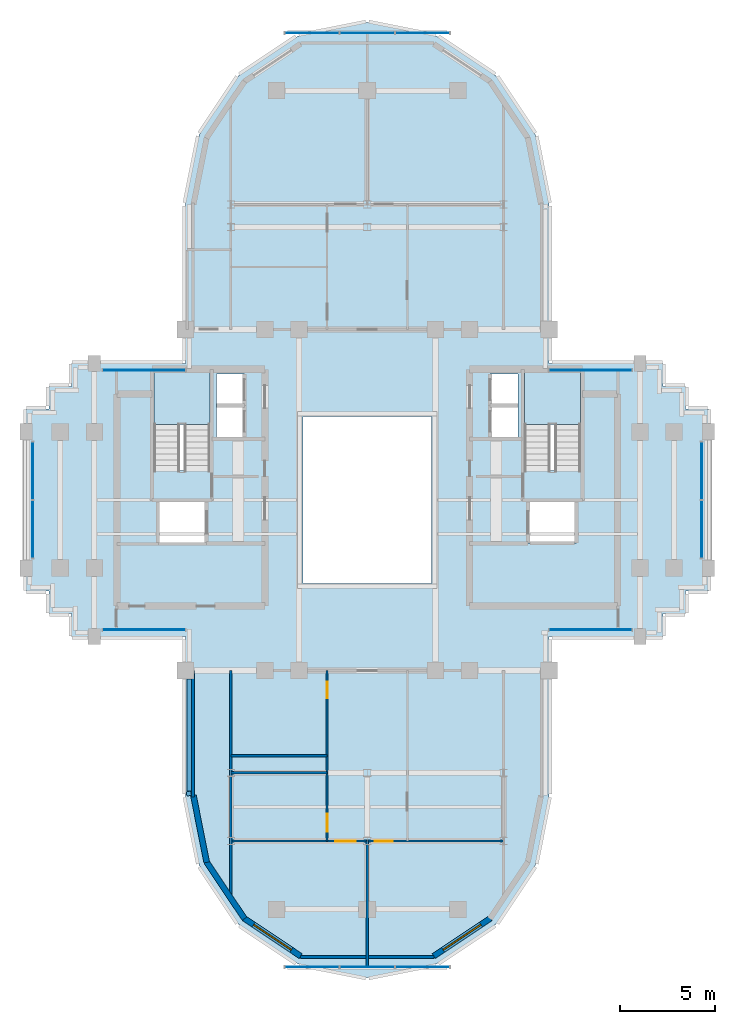
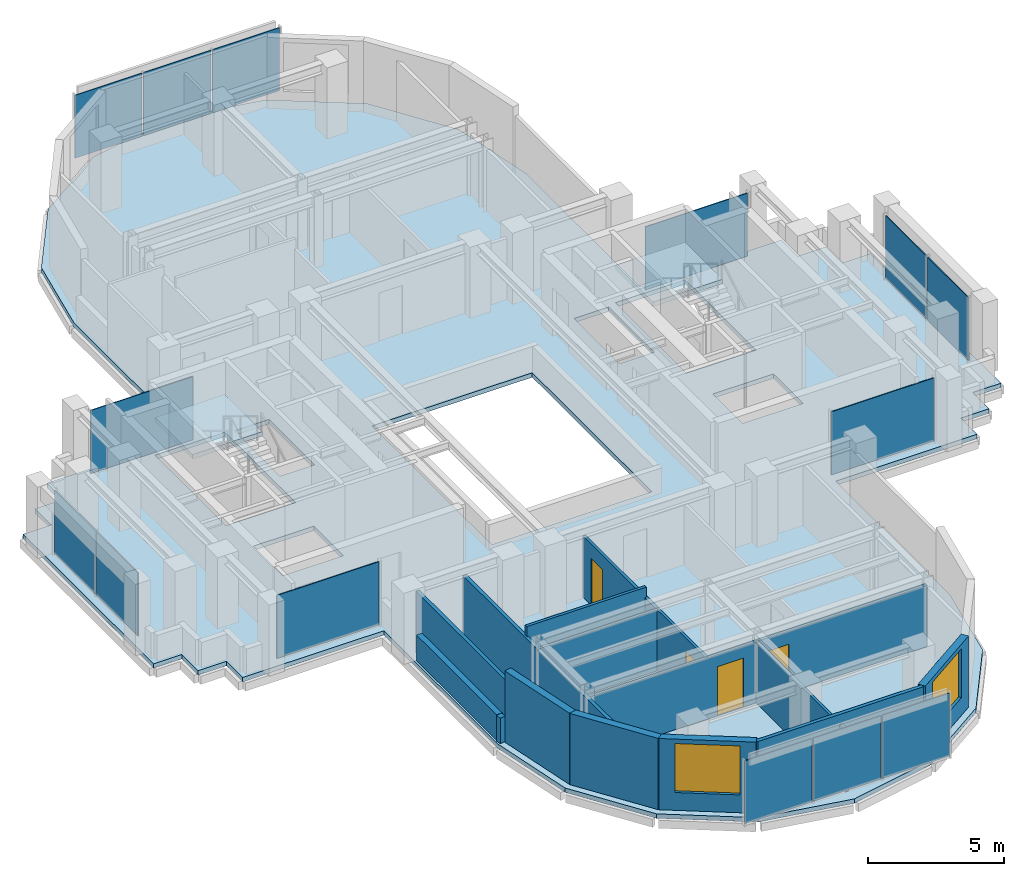
# One storey, part 5 of 11: 14 plates, 14 walls, 4 doors, 3 slabs, 2 windows, 6 openings, 10 elements without a shape of their own.
"""IFC4 building model written with IfcOpenShell, lengths in metres."""

import ifcopenshell
import ifcopenshell.guid

model = None  # the IFC model being written
_history = None  # IfcOwnerHistory: only IFC2X3 demands one
_inside = {}  # id of a spatial element -> (the spatial element, [elements in it])
_under = {}  # id of a project, library or spatial element -> (it, [spatial elements below it])
_declared = {}  # id of a project -> (the project, [libraries it declares])
_typed = {}  # id of a type object -> (the type object, [elements of that type])
_made_of = {}  # id of a material, layer set ... -> (it, [elements and type objects made of it])


def new_model(schema):
    """Start an empty IFC model of exactly this schema.

    Asked for "IFC4X3", IfcOpenShell would pick the latest addendum, in which some entities
    have other attributes; the version numbers below select the first issue.
    IFC2X3 requires an IfcOwnerHistory on every rooted entity: one is made here for all.
    """
    global model, _history
    if schema == "IFC4X3":
        model = ifcopenshell.file(schema_version=(4, 3, 0, 0))
    else:
        model = ifcopenshell.file(schema=schema)
    _inside.clear()
    _under.clear()
    _declared.clear()
    _typed.clear()
    _made_of.clear()
    _history = None
    if model.schema == "IFC2X3":
        org = make("IfcOrganization", Name="unknown")
        user = make(
            "IfcPersonAndOrganization",
            ThePerson=make("IfcPerson", FamilyName="unknown"),
            TheOrganization=org,
        )
        app = make(
            "IfcApplication",
            ApplicationDeveloper=org,
            Version="unknown",
            ApplicationFullName="unknown",
            ApplicationIdentifier="unknown",
        )
        _history = make(
            "IfcOwnerHistory",
            OwningUser=user,
            OwningApplication=app,
            ChangeAction="ADDED",
            CreationDate=0,
        )
    return model


def make(cls, **values):
    """One entity of the class cls with the attributes given. An attribute that is None is left unset."""
    return model.create_entity(
        cls, **{name: value for name, value in values.items() if value is not None}
    )


def rooted(cls, **values):
    """An entity with a GlobalId (a new one), such as an element, a storey or a relation."""
    return make(cls, GlobalId=ifcopenshell.guid.new(), OwnerHistory=_history, **values)


def si_unit(unit_type, name, prefix=None):
    """IfcSIUnit, for example si_unit("LENGTHUNIT", "METRE", prefix="MILLI")."""
    return make("IfcSIUnit", UnitType=unit_type, Prefix=prefix, Name=name)


def assignment(units):
    """IfcUnitAssignment: the units of a project."""
    return None if units is None else make("IfcUnitAssignment", Units=units)


def point(xyz):
    """IfcCartesianPoint."""
    return None if xyz is None else make("IfcCartesianPoint", Coordinates=xyz)


def direction(xyz):
    """IfcDirection."""
    return None if xyz is None else make("IfcDirection", DirectionRatios=xyz)


def frame(location, z_axis=None, x_axis=None):
    """IfcAxis2Placement3D, a coordinate frame: its origin and axes. An axis left out is left unset."""
    return make(
        "IfcAxis2Placement3D",
        Location=point(location),
        Axis=direction(z_axis),
        RefDirection=direction(x_axis),
    )


def frame_2d(location, x_axis=None):
    """IfcAxis2Placement2D, a coordinate frame in the plane: its origin and x axis."""
    return make(
        "IfcAxis2Placement2D", Location=point(location), RefDirection=direction(x_axis)
    )


def origin():
    """The frame at (0, 0, 0) with its axes left unset."""
    return frame((0.0, 0.0, 0.0))


def origin_2d():
    """The frame at (0, 0) in the plane with its x axis left unset."""
    return frame_2d((0.0, 0.0))


def place(relative_to, where):
    """IfcLocalPlacement: puts the frame where relative to a parent placement (None: the world)."""
    return make(
        "IfcLocalPlacement", PlacementRelTo=relative_to, RelativePlacement=where
    )


def context(
    kind, dimensions, precision=None, world=None, true_north=None, identifier=None
):
    """IfcGeometricRepresentationContext, for example the 3D "Model" context."""
    return make(
        "IfcGeometricRepresentationContext",
        ContextIdentifier=identifier,
        ContextType=kind,
        CoordinateSpaceDimension=dimensions,
        Precision=precision,
        WorldCoordinateSystem=world,
        TrueNorth=true_north,
    )


def subcontext(parent, identifier, kind, view, scale=None):
    """IfcGeometricRepresentationSubContext, for example "Body" below "Model"."""
    return make(
        "IfcGeometricRepresentationSubContext",
        ContextIdentifier=identifier,
        ContextType=kind,
        ParentContext=parent,
        TargetScale=scale,
        TargetView=view,
    )


def project(units=None, contexts=None):
    """IfcProject with its units and contexts."""
    return rooted(
        "IfcProject",
        Name="project",
        RepresentationContexts=contexts,
        UnitsInContext=assignment(units),
    )


def spatial(cls, under=None, at=None, **own):
    """A site, building, storey or space (cls), placed at a placement, below another one or the project."""
    s = rooted(cls, ObjectPlacement=at, **own)
    if under is not None:
        _under.setdefault(under.id(), (under, []))[1].append(s)
    return s


def polyline(points):
    """IfcPolyline through the points."""
    return make("IfcPolyline", Points=[point(p) for p in points])


def profile(cls, at=None, kind="AREA", **sizes):
    """A parametric profile (cls). Its sizes go by their IFC names, for example OverallWidth=200.0."""
    return make(cls, ProfileType=kind, Position=at, **sizes)


def rectangle(**sizes):
    """IfcRectangleProfileDef."""
    return profile("IfcRectangleProfileDef", **sizes)


def outline(outer, holes=None, kind="AREA"):
    """IfcArbitraryClosedProfileDef: a profile drawn as a closed curve; with holes, ...WithVoids."""
    if holes is None:
        return make("IfcArbitraryClosedProfileDef", ProfileType=kind, OuterCurve=outer)
    return make(
        "IfcArbitraryProfileDefWithVoids",
        ProfileType=kind,
        OuterCurve=outer,
        InnerCurves=holes,
    )


def extrude(swept, where, along, depth):
    """IfcExtrudedAreaSolid: the profile swept, set in the frame where, extruded along a direction by depth."""
    return make(
        "IfcExtrudedAreaSolid",
        SweptArea=swept,
        Position=where,
        ExtrudedDirection=direction(along),
        Depth=depth,
    )


def shape(context_of_items, identifier, shape_type, items):
    """IfcShapeRepresentation: the items that make up one representation, for example the "Body"."""
    return make(
        "IfcShapeRepresentation",
        ContextOfItems=context_of_items,
        RepresentationIdentifier=identifier,
        RepresentationType=shape_type,
        Items=items,
    )


def source(mapping_origin, context_of_items, identifier, shape_type, items):
    """IfcRepresentationMap: a shape defined once, which mapped items show again and again."""
    return make(
        "IfcRepresentationMap",
        MappingOrigin=mapping_origin,
        MappedRepresentation=shape(context_of_items, identifier, shape_type, items),
    )


def transform(
    local_origin,
    x_axis=None,
    y_axis=None,
    z_axis=None,
    scale=None,
    scale2=None,
    scale3=None,
    uniform=True,
):
    """IfcCartesianTransformationOperator3D, or its non-uniform kind. x_axis, y_axis, z_axis: its Axis1, 2, 3."""
    if uniform:
        return make(
            "IfcCartesianTransformationOperator3D",
            Axis1=direction(x_axis),
            Axis2=direction(y_axis),
            LocalOrigin=point(local_origin),
            Scale=scale,
            Axis3=direction(z_axis),
        )
    return make(
        "IfcCartesianTransformationOperator3DnonUniform",
        Axis1=direction(x_axis),
        Axis2=direction(y_axis),
        LocalOrigin=point(local_origin),
        Scale=scale,
        Axis3=direction(z_axis),
        Scale2=scale2,
        Scale3=scale3,
    )


def mapped(mapping_source, mapping_target):
    """IfcMappedItem: shows the shape of a source again, moved by a transform."""
    return make(
        "IfcMappedItem", MappingSource=mapping_source, MappingTarget=mapping_target
    )


def material(Name=None, Category=None):
    """IfcMaterial."""
    return make("IfcMaterial", Name=Name, Category=Category)


def layer(
    of_material, thickness, ventilated=None, Name=None, Category=None, Priority=None
):
    """IfcMaterialLayer: one layer of a wall or slab, of a material (None: an air gap)."""
    return make(
        "IfcMaterialLayer",
        Material=of_material,
        LayerThickness=thickness,
        IsVentilated=ventilated,
        Name=Name,
        Category=Category,
        Priority=Priority,
    )


def layer_set(layers, Name=None):
    """IfcMaterialLayerSet."""
    return make("IfcMaterialLayerSet", MaterialLayers=layers, LayerSetName=Name)


def made_of(thing, what):
    """Note that an element or type object is made of a material, layer set ...; save() writes the relation."""
    if what is not None:
        _made_of.setdefault(what.id(), (what, []))[1].append(thing)
    return thing


def type_object(cls, material=None, **own):
    """A type object (cls), such as IfcWallType, which elements share."""
    return made_of(rooted(cls, **own), material)


def element(
    cls,
    number,
    at=None,
    inside=None,
    cuts=None,
    type_object=None,
    material=None,
    context=None,
    identifier="Body",
    shape_type=None,
    held_by="IfcProductDefinitionShape",
    body=None,
    shapes=None,
    **own,
):
    """One element of the class cls, such as IfcWall. Its Tag is "e" and its number.

    at: its placement. inside: the storey or other place that contains it. cuts: it is an
    opening in that element (IfcRelVoidsElement). A single representation is given by context,
    identifier, shape_type and body (its items); several are given by shapes. held_by: the class
    of the entity that holds the representations. save() writes the other relations.
    """
    e = rooted(cls, Tag="e%d" % number, ObjectPlacement=at, **own)
    if body is not None:
        shapes = [shape(context, identifier, shape_type, body)]
    if shapes is not None:
        e.Representation = make(held_by, Representations=shapes)
    if inside is not None:
        _inside.setdefault(inside.id(), (inside, []))[1].append(e)
    if cuts is not None:
        rooted(
            "IfcRelVoidsElement", RelatingBuildingElement=cuts, RelatedOpeningElement=e
        )
    if type_object is not None:
        _typed.setdefault(type_object.id(), (type_object, []))[1].append(e)
    return made_of(e, material)


def fill(opening, filler):
    """IfcRelFillsElement: the door or window that sits in an opening."""
    return rooted(
        "IfcRelFillsElement",
        RelatingOpeningElement=opening,
        RelatedBuildingElement=filler,
    )


def aggregate(whole, parts):
    """IfcRelAggregates: a whole, such as a stair, and the parts it consists of."""
    return rooted("IfcRelAggregates", RelatingObject=whole, RelatedObjects=parts)


def save(model, path):
    """Write the relations noted so far, then the file.

    IfcRelAggregates (storeys below a building ...), IfcRelContainedInSpatialStructure (elements
    in a storey), IfcRelDefinesByType, IfcRelAssociatesMaterial and IfcRelDeclares: one each for
    every whole, place, type object, material and project.
    """
    for whole, parts in _under.values():
        aggregate(whole, parts)
    for where, things in _inside.values():
        rooted(
            "IfcRelContainedInSpatialStructure",
            RelatedElements=things,
            RelatingStructure=where,
        )
    for kind, things in _typed.values():
        rooted("IfcRelDefinesByType", RelatedObjects=things, RelatingType=kind)
    for what, things in _made_of.values():
        rooted("IfcRelAssociatesMaterial", RelatedObjects=things, RelatingMaterial=what)
    for by, libraries in _declared.values():
        rooted("IfcRelDeclares", RelatingContext=by, RelatedDefinitions=libraries)
    model.write(path)


model = new_model("IFC4")

# Units and contexts
model_context = context("Model", 3, precision=1e-05, world=origin(), true_north=direction((0.0, 1.0)))
body_context = subcontext(model_context, "Body", "Model", "MODEL_VIEW")
ifc_project = project(units=[si_unit("LENGTHUNIT", "METRE"), si_unit("AREAUNIT", "SQUARE_METRE"), si_unit("VOLUMEUNIT", "CUBIC_METRE"), si_unit("PLANEANGLEUNIT", "RADIAN"), si_unit("MASSUNIT", "GRAM", prefix="KILO")], contexts=[model_context])

# Site, building, storey
site_placement = place(None, origin())
site = spatial("IfcSite", under=ifc_project, at=site_placement, CompositionType="ELEMENT")
building_placement = place(site_placement, origin())
building = spatial("IfcBuilding", under=site, at=building_placement, Name="Keilestroom Media Tower", CompositionType="ELEMENT")
storey_placement = place(building_placement, frame((0.0, 0.0, 208.0)))
storey = spatial("IfcBuildingStorey", under=building, at=storey_placement, Name="L57", CompositionType="ELEMENT", Elevation=208.0)

# Slab
ifc_material_1 = material(Name="Concrete C50/60", Category="concrete")
ifc_layer_1 = layer(ifc_material_1, 0.199951171875)
ifc_layer_set_1 = layer_set([ifc_layer_1], Name="Concrete C50/60")
slab_type_1 = type_object("IfcSlabType", Name="Composite-Floor-Slab-200", PredefinedType="FLOOR", material=ifc_layer_set_1)
slab_1_placement = place(storey_placement, frame((0.0, 0.0, -0.199951171875)))
element("IfcSlab", 1, at=slab_1_placement, inside=storey, type_object=slab_type_1, Name="L57 Structural Composite Floor Slab", PredefinedType="FLOOR", context=body_context, shape_type="SweptSolid", body=[
    extrude(outline(polyline([(18.0, -4.800048828125), (18.0, 4.800048828125), (16.800048828125, 4.800048828125), (16.800048828125, 6.0), (15.60009765625, 6.0), (15.60009765625, 7.199951171875), (9.60009765625, 7.199951171875), (9.60009765625, 9.60009765625), (9.60009765625, 15.60009765625), (8.869140625, 19.273681640625), (6.7880859375, 22.38818359375), (3.673828125, 24.46923828125), (0.0, 25.199951171875), (-3.673828125, 24.46923828125), (-6.7880859375, 22.38818359375), (-8.869140625, 19.273681640625), (-9.60009765625, 15.60009765625), (-9.60009765625, 9.60009765625), (-9.60009765625, 7.199951171875), (-15.60009765625, 7.199951171875), (-15.60009765625, 6.0), (-16.800048828125, 6.0), (-16.800048828125, 4.800048828125), (-18.0, 4.800048828125), (-18.0, -4.800048828125), (-16.800048828125, -4.800048828125), (-16.800048828125, -6.0), (-15.60009765625, -6.0), (-15.60009765625, -7.199951171875), (-9.60009765625, -7.199951171875), (-9.60009765625, -9.60009765625), (-9.60009765625, -15.60009765625), (-8.869140625, -19.273681640625), (-6.7880859375, -22.38818359375), (-3.673828125, -24.46923828125), (0.0, -25.199951171875), (3.673828125, -24.46923828125), (6.7880859375, -22.38818359375), (8.869140625, -19.273681640625), (9.60009765625, -15.60009765625), (9.60009765625, -9.60009765625), (9.60009765625, -7.199951171875), (15.60009765625, -7.199951171875), (15.60009765625, -6.0), (16.800048828125, -6.0), (16.800048828125, -4.800048828125), (18.0, -4.800048828125)]), holes=[polyline([(-8.300048828125, 1.544921875), (-11.260009765625, 1.544921875), (-11.260009765625, 6.760009765625), (-8.300048828125, 6.760009765625), (-8.300048828125, 1.544921875)]), polyline([(-8.47998046875, -2.280029296875), (-11.050048828125, -2.280029296875), (-11.050048828125, -0.10009765625), (-8.47998046875, -0.10009765625), (-8.47998046875, -2.280029296875)]), polyline([(-6.47998046875, 3.300048828125), (-7.949951171875, 3.300048828125), (-7.949951171875, 6.64990234375), (-6.47998046875, 6.64990234375), (-6.47998046875, 3.300048828125)]), polyline([(3.39990234375, -4.39990234375), (-3.39990234375, -4.39990234375), (-3.39990234375, 4.39990234375), (3.39990234375, 4.39990234375), (3.39990234375, -4.39990234375)]), polyline([(7.949951171875, 3.300048828125), (6.47998046875, 3.300048828125), (6.47998046875, 6.64990234375), (7.949951171875, 6.64990234375), (7.949951171875, 3.300048828125)]), polyline([(11.260009765625, 1.544921875), (8.300048828125, 1.544921875), (8.300048828125, 6.760009765625), (11.260009765625, 6.760009765625), (11.260009765625, 1.544921875)]), polyline([(11.050048828125, -2.280029296875), (8.47998046875, -2.280029296875), (8.47998046875, -0.10009765625), (11.050048828125, -0.10009765625), (11.050048828125, -2.280029296875)])]), origin(), (0.0, 0.0, 1.0), 0.199951171875),
])

# Stair, slab
ifc_material_2 = material(Name="Concrete C45/55", Category="concrete")
stair_type = type_object("IfcStairType", Name="Enclosed-Dog-Leg-Stair-ST-CORE", PredefinedType="HALF_TURN_STAIR", material=ifc_material_2)
stair_1_placement = place(storey_placement, origin())
stair_1 = element("IfcStair", 2, at=stair_1_placement, inside=storey, type_object=stair_type, Name="L57 West Core Escape Stair ST-1", PredefinedType="HALF_TURN_STAIR")
ifc_layer_2 = layer(ifc_material_2, 0.199951171875)
ifc_layer_set_2 = layer_set([ifc_layer_2], Name="Concrete C45/55")
slab_type_2 = type_object("IfcSlabType", Name="Stair-Intermediate-And-Top-Landing-Slab-200", PredefinedType="LANDING", material=ifc_layer_set_2)
slab_2_placement = place(storey_placement, frame((0.0, 0.0, 1.5)))
slab_2 = element("IfcSlab", 3, at=slab_2_placement, type_object=slab_type_2, Name="ST-1 landing 1", PredefinedType="LANDING", context=body_context, shape_type="SweptSolid", body=[
    extrude(outline(polyline([(-8.300048828125, 3.99609375), (-8.300048828125, 6.760009765625), (-11.260009765625, 6.760009765625), (-11.260009765625, 3.99609375), (-8.300048828125, 3.99609375)])), origin(), (0.0, 0.0, 1.0), 0.199951171875),
])
aggregate(stair_1, [slab_2])

stair_2_placement = place(storey_placement, origin())
stair_2 = element("IfcStair", 4, at=stair_2_placement, inside=storey, type_object=stair_type, Name="L57 East Core Escape Stair ST-2", PredefinedType="HALF_TURN_STAIR")
slab_3_placement = place(storey_placement, frame((0.0, 0.0, 1.5)))
slab_3 = element("IfcSlab", 5, at=slab_3_placement, type_object=slab_type_2, Name="ST-2 landing 1", PredefinedType="LANDING", context=body_context, shape_type="SweptSolid", body=[
    extrude(outline(polyline([(11.260009765625, 3.99609375), (11.260009765625, 6.760009765625), (8.300048828125, 6.760009765625), (8.300048828125, 3.99609375), (11.260009765625, 3.99609375)])), origin(), (0.0, 0.0, 1.0), 0.199951171875),
])
aggregate(stair_2, [slab_3])

# Curtain wall, plates
ifc_material_3 = material(Name="Anodised Aluminium Alloy", Category="aluminium")
curtain_wall_type_1 = type_object("IfcCurtainWallType", Name="Unitised-Curtain-Wall-CW-6", PredefinedType="NOTDEFINED", material=ifc_material_3)
curtain_wall_1_placement = place(storey_placement, origin())
curtain_wall_1 = element("IfcCurtainWall", 6, at=curtain_wall_1_placement, inside=storey, type_object=curtain_wall_type_1, Name="L57 Curtain Wall CW-6 CW-L57-LN-1", PredefinedType="NOTDEFINED")
ifc_material_4 = material(Name="Curved-Facet Triple Glazed Unit", Category="glass")
ifc_layer_3 = layer(ifc_material_4, 0.033935546875)
ifc_layer_set_3 = layer_set([ifc_layer_3], Name="Curved-Facet Triple Glazed Unit")
plate_type_1 = type_object("IfcPlateType", Name="Insulated-Curtain-Wall-Glazing-Panel-CW-6", PredefinedType="CURTAIN_PANEL", material=ifc_layer_set_3)
shared_shape_1 = source(origin(), body_context, "Body", "SweptSolid", [
    extrude(rectangle(XDim=2.84375, YDim=0.033935546875, at=origin_2d()), origin(), (0.0, 0.0, 1.0), 2.833984375),
])
plate_1_placement = place(storey_placement, frame((-2.9169921875, 24.64990234375, 0.072998046875), z_axis=(0.0, 0.0, 1.0), x_axis=(1.0, 0.0, 0.0)))
plate_1 = element("IfcPlate", 7, at=plate_1_placement, type_object=plate_type_1, Name="CW-6 Unitised Glazing 00", PredefinedType="CURTAIN_PANEL", context=body_context, shape_type="MappedRepresentation", body=[
    mapped(shared_shape_1, transform((0.0, 0.0, 0.0), x_axis=(1.0, 0.0, 0.0), y_axis=(0.0, 1.0, 0.0), z_axis=(0.0, 0.0, 1.0), scale=1.0)),
])
plate_2_placement = place(storey_placement, frame((2.9169921875, 24.64990234375, 0.072998046875), z_axis=(0.0, 0.0, 1.0), x_axis=(1.0, 0.0, 0.0)))
plate_2 = element("IfcPlate", 8, at=plate_2_placement, type_object=plate_type_1, Name="CW-6 Unitised Glazing 02", PredefinedType="CURTAIN_PANEL", context=body_context, shape_type="MappedRepresentation", body=[
    mapped(shared_shape_1, transform((0.0, 0.0, 0.0), x_axis=(1.0, 0.0, 0.0), y_axis=(0.0, 1.0, 0.0), z_axis=(0.0, 0.0, 1.0), scale=1.0)),
])

curtain_wall_2_placement = place(storey_placement, origin())
curtain_wall_2 = element("IfcCurtainWall", 9, at=curtain_wall_2_placement, inside=storey, type_object=curtain_wall_type_1, Name="L57 Curtain Wall CW-6 CW-L57-LS-1", PredefinedType="NOTDEFINED")
plate_3_placement = place(storey_placement, frame((-2.9169921875, -24.64990234375, 0.072998046875), z_axis=(0.0, 0.0, 1.0), x_axis=(1.0, 0.0, 0.0)))
plate_3 = element("IfcPlate", 10, at=plate_3_placement, type_object=plate_type_1, Name="CW-6 Unitised Glazing 00", PredefinedType="CURTAIN_PANEL", context=body_context, shape_type="MappedRepresentation", body=[
    mapped(shared_shape_1, transform((0.0, 0.0, 0.0), x_axis=(1.0, 0.0, 0.0), y_axis=(0.0, 1.0, 0.0), z_axis=(0.0, 0.0, 1.0), scale=1.0)),
])
plate_4_placement = place(storey_placement, frame((2.9169921875, -24.64990234375, 0.072998046875), z_axis=(0.0, 0.0, 1.0), x_axis=(1.0, 0.0, 0.0)))
plate_4 = element("IfcPlate", 11, at=plate_4_placement, type_object=plate_type_1, Name="CW-6 Unitised Glazing 02", PredefinedType="CURTAIN_PANEL", context=body_context, shape_type="MappedRepresentation", body=[
    mapped(shared_shape_1, transform((0.0, 0.0, 0.0), x_axis=(1.0, 0.0, 0.0), y_axis=(0.0, 1.0, 0.0), z_axis=(0.0, 0.0, 1.0), scale=1.0)),
])

# Plate
shared_shape_2 = source(origin(), body_context, "Body", "SweptSolid", [
    extrude(rectangle(XDim=2.876220703125, YDim=0.033935546875, at=origin_2d()), origin(), (0.0, 0.0, 1.0), 2.833984375),
])
plate_5_placement = place(storey_placement, frame((0.0, 24.64990234375, 0.072998046875), z_axis=(0.0, 0.0, 1.0), x_axis=(1.0, 0.0, 0.0)))
plate_5 = element("IfcPlate", 12, at=plate_5_placement, type_object=plate_type_1, Name="CW-6 Unitised Glazing 01", PredefinedType="CURTAIN_PANEL", context=body_context, shape_type="MappedRepresentation", body=[
    mapped(shared_shape_2, transform((0.0, 0.0, 0.0), x_axis=(1.0, 0.0, 0.0), y_axis=(0.0, 1.0, 0.0), z_axis=(0.0, 0.0, 1.0), scale=1.0)),
])

aggregate(curtain_wall_1, [plate_1, plate_5, plate_2])

plate_6_placement = place(storey_placement, frame((0.0, -24.64990234375, 0.072998046875), z_axis=(0.0, 0.0, 1.0), x_axis=(1.0, 0.0, 0.0)))
plate_6 = element("IfcPlate", 13, at=plate_6_placement, type_object=plate_type_1, Name="CW-6 Unitised Glazing 01", PredefinedType="CURTAIN_PANEL", context=body_context, shape_type="MappedRepresentation", body=[
    mapped(shared_shape_2, transform((0.0, 0.0, 0.0), x_axis=(1.0, 0.0, 0.0), y_axis=(0.0, 1.0, 0.0), z_axis=(0.0, 0.0, 1.0), scale=1.0)),
])

aggregate(curtain_wall_2, [plate_3, plate_6, plate_4])

# Curtain wall, plate
curtain_wall_type_2 = type_object("IfcCurtainWallType", Name="Unitised-Curtain-Wall-CW-3", PredefinedType="NOTDEFINED", material=ifc_material_3)
curtain_wall_3_placement = place(storey_placement, origin())
curtain_wall_3 = element("IfcCurtainWall", 14, at=curtain_wall_3_placement, inside=storey, type_object=curtain_wall_type_2, Name="L57 Curtain Wall CW-3 CW-L57-NW-1", PredefinedType="NOTDEFINED")
ifc_material_5 = material(Name="Triple Glazed Acoustic Low-E Unit", Category="glass")
ifc_layer_4 = layer(ifc_material_5, 0.0380859375)
ifc_layer_set_4 = layer_set([ifc_layer_4], Name="Triple Glazed Acoustic Low-E Unit")
plate_type_2 = type_object("IfcPlateType", Name="Insulated-Curtain-Wall-Glazing-Panel-CW-3", PredefinedType="CURTAIN_PANEL", material=ifc_layer_set_4)
shared_shape_3 = source(origin(), body_context, "Body", "SweptSolid", [
    extrude(rectangle(XDim=4.343017578125, YDim=0.0380859375, at=origin_2d()), origin(), (0.0, 0.0, 1.0), 2.833984375),
])
plate_7_placement = place(storey_placement, frame((-11.782470703125, 6.85009765625, 0.072998046875), z_axis=(0.0, 0.0, 1.0), x_axis=(1.0, 0.0, 0.0)))
plate_7 = element("IfcPlate", 15, at=plate_7_placement, type_object=plate_type_2, Name="CW-3 Unitised Glazing 00", PredefinedType="CURTAIN_PANEL", context=body_context, shape_type="MappedRepresentation", body=[
    mapped(shared_shape_3, transform((0.0, 0.0, 0.0), x_axis=(1.0, 0.0, 0.0), y_axis=(0.0, 1.0, 0.0), z_axis=(0.0, 0.0, 1.0), scale=1.0)),
])
aggregate(curtain_wall_3, [plate_7])

curtain_wall_4_placement = place(storey_placement, origin())
curtain_wall_4 = element("IfcCurtainWall", 16, at=curtain_wall_4_placement, inside=storey, type_object=curtain_wall_type_2, Name="L57 Curtain Wall CW-3 CW-L57-NE-1", PredefinedType="NOTDEFINED")
plate_8_placement = place(storey_placement, frame((11.782470703125, 6.85009765625, 0.072998046875), z_axis=(0.0, 0.0, 1.0), x_axis=(1.0, 0.0, 0.0)))
plate_8 = element("IfcPlate", 17, at=plate_8_placement, type_object=plate_type_2, Name="CW-3 Unitised Glazing 00", PredefinedType="CURTAIN_PANEL", context=body_context, shape_type="MappedRepresentation", body=[
    mapped(shared_shape_3, transform((0.0, 0.0, 0.0), x_axis=(1.0, 0.0, 0.0), y_axis=(0.0, 1.0, 0.0), z_axis=(0.0, 0.0, 1.0), scale=1.0)),
])
aggregate(curtain_wall_4, [plate_8])

curtain_wall_5_placement = place(storey_placement, origin())
curtain_wall_5 = element("IfcCurtainWall", 18, at=curtain_wall_5_placement, inside=storey, type_object=curtain_wall_type_2, Name="L57 Curtain Wall CW-3 CW-L57-SW-1", PredefinedType="NOTDEFINED")
plate_9_placement = place(storey_placement, frame((-11.782470703125, -6.85009765625, 0.072998046875), z_axis=(0.0, 0.0, 1.0), x_axis=(1.0, 0.0, 0.0)))
plate_9 = element("IfcPlate", 19, at=plate_9_placement, type_object=plate_type_2, Name="CW-3 Unitised Glazing 00", PredefinedType="CURTAIN_PANEL", context=body_context, shape_type="MappedRepresentation", body=[
    mapped(shared_shape_3, transform((0.0, 0.0, 0.0), x_axis=(1.0, 0.0, 0.0), y_axis=(0.0, 1.0, 0.0), z_axis=(0.0, 0.0, 1.0), scale=1.0)),
])
aggregate(curtain_wall_5, [plate_9])

curtain_wall_6_placement = place(storey_placement, origin())
curtain_wall_6 = element("IfcCurtainWall", 20, at=curtain_wall_6_placement, inside=storey, type_object=curtain_wall_type_2, Name="L57 Curtain Wall CW-3 CW-L57-SE-1", PredefinedType="NOTDEFINED")
plate_10_placement = place(storey_placement, frame((11.782470703125, -6.85009765625, 0.072998046875), z_axis=(0.0, 0.0, 1.0), x_axis=(1.0, 0.0, 0.0)))
plate_10 = element("IfcPlate", 21, at=plate_10_placement, type_object=plate_type_2, Name="CW-3 Unitised Glazing 00", PredefinedType="CURTAIN_PANEL", context=body_context, shape_type="MappedRepresentation", body=[
    mapped(shared_shape_3, transform((0.0, 0.0, 0.0), x_axis=(1.0, 0.0, 0.0), y_axis=(0.0, 1.0, 0.0), z_axis=(0.0, 0.0, 1.0), scale=1.0)),
])
aggregate(curtain_wall_6, [plate_10])

# Curtain wall, plates
curtain_wall_7_placement = place(storey_placement, origin())
curtain_wall_7 = element("IfcCurtainWall", 22, at=curtain_wall_7_placement, inside=storey, type_object=curtain_wall_type_2, Name="L57 Curtain Wall CW-3 CW-L57-W-1", PredefinedType="NOTDEFINED")
shared_shape_4 = source(origin(), body_context, "Body", "SweptSolid", [
    extrude(rectangle(XDim=3.025390625, YDim=0.0380859375, at=origin_2d()), origin(), (0.0, 0.0, 1.0), 2.833984375),
])
plate_11_placement = place(storey_placement, frame((-17.64990234375, -1.541259765625, 0.072998046875), z_axis=(0.0, 0.0, 1.0), x_axis=(0.0, 1.0, 0.0)))
plate_11 = element("IfcPlate", 23, at=plate_11_placement, type_object=plate_type_2, Name="CW-3 Unitised Glazing 00", PredefinedType="CURTAIN_PANEL", context=body_context, shape_type="MappedRepresentation", body=[
    mapped(shared_shape_4, transform((0.0, 0.0, 0.0), x_axis=(1.0, 0.0, 0.0), y_axis=(0.0, 1.0, 0.0), z_axis=(0.0, 0.0, 1.0), scale=1.0)),
])
plate_12_placement = place(storey_placement, frame((-17.64990234375, 1.541259765625, 0.072998046875), z_axis=(0.0, 0.0, 1.0), x_axis=(0.0, 1.0, 0.0)))
plate_12 = element("IfcPlate", 24, at=plate_12_placement, type_object=plate_type_2, Name="CW-3 Unitised Glazing 01", PredefinedType="CURTAIN_PANEL", context=body_context, shape_type="MappedRepresentation", body=[
    mapped(shared_shape_4, transform((0.0, 0.0, 0.0), x_axis=(1.0, 0.0, 0.0), y_axis=(0.0, 1.0, 0.0), z_axis=(0.0, 0.0, 1.0), scale=1.0)),
])
aggregate(curtain_wall_7, [plate_11, plate_12])

curtain_wall_8_placement = place(storey_placement, origin())
curtain_wall_8 = element("IfcCurtainWall", 25, at=curtain_wall_8_placement, inside=storey, type_object=curtain_wall_type_2, Name="L57 Curtain Wall CW-3 CW-L57-E-1", PredefinedType="NOTDEFINED")
plate_13_placement = place(storey_placement, frame((17.64990234375, -1.541259765625, 0.072998046875), z_axis=(0.0, 0.0, 1.0), x_axis=(0.0, 1.0, 0.0)))
plate_13 = element("IfcPlate", 26, at=plate_13_placement, type_object=plate_type_2, Name="CW-3 Unitised Glazing 00", PredefinedType="CURTAIN_PANEL", context=body_context, shape_type="MappedRepresentation", body=[
    mapped(shared_shape_4, transform((0.0, 0.0, 0.0), x_axis=(1.0, 0.0, 0.0), y_axis=(0.0, 1.0, 0.0), z_axis=(0.0, 0.0, 1.0), scale=1.0)),
])
plate_14_placement = place(storey_placement, frame((17.64990234375, 1.541259765625, 0.072998046875), z_axis=(0.0, 0.0, 1.0), x_axis=(0.0, 1.0, 0.0)))
plate_14 = element("IfcPlate", 27, at=plate_14_placement, type_object=plate_type_2, Name="CW-3 Unitised Glazing 01", PredefinedType="CURTAIN_PANEL", context=body_context, shape_type="MappedRepresentation", body=[
    mapped(shared_shape_4, transform((0.0, 0.0, 0.0), x_axis=(1.0, 0.0, 0.0), y_axis=(0.0, 1.0, 0.0), z_axis=(0.0, 0.0, 1.0), scale=1.0)),
])
aggregate(curtain_wall_8, [plate_13, plate_14])

# Walls
ifc_material_6 = material(Name="Precast concrete C40/50", Category="concrete")
ifc_layer_5 = layer(ifc_material_6, 0.300048828125)
ifc_layer_set_5 = layer_set([ifc_layer_5], Name="Precast concrete C40/50")
wall_type_1 = type_object("IfcWallType", Name="Exterior-Masonry-Spandrel-Wall-300", PredefinedType="SOLIDWALL", material=ifc_layer_set_5)
for number, where, z_axis, x_axis, name in (
    (28, (-9.1748046875, -15.585205078125, 0.0), (0.0, 0.0, 1.0), (0.195114232679, -0.980780523974, 0.0), "L57 Lobe Facet Precast Frame Wall 07"),
    (29, (-8.48193359375, -19.097412109375, 0.0), (0.0, 0.0, 1.0), (0.555574187116, -0.831466970246, 0.0), "L57 Lobe Facet Precast Frame Wall 08"),
):
    element("IfcWall", number, at=place(storey_placement, frame(where, z_axis=z_axis, x_axis=x_axis)), inside=storey, type_object=wall_type_1, Name=name, PredefinedType="SOLIDWALL", context=body_context, shape_type="SweptSolid", body=[
        extrude(rectangle(XDim=3.608642578125, YDim=0.300048828125, at=frame_2d((1.80419921875, 0.0))), origin(), (0.0, 0.0, 1.0), 3.199951171875),
    ])

# Wall, opening, window
wall_1_placement = place(storey_placement, frame((-6.497802734375, -22.0771484375, 0.0), z_axis=(0.0, 0.0, 1.0), x_axis=(0.8314749531, -0.555562239868, 0.0)))
wall_1 = element("IfcWall", 30, at=wall_1_placement, inside=storey, type_object=wall_type_1, Name="L57 Lobe Facet Precast Frame Wall 09", PredefinedType="SOLIDWALL", context=body_context, shape_type="SweptSolid", body=[
    extrude(rectangle(XDim=3.59326171875, YDim=0.300048828125, at=frame_2d((1.796630859375, 0.0))), origin(), (0.0, 0.0, 1.0), 3.199951171875),
])
opening_1_placement = place(wall_1_placement, frame((0.596923828125, 0.0, 0.800048828125)))
opening_1 = element("IfcOpeningElement", 31, at=opening_1_placement, cuts=wall_1, Name="Opening WN-02", PredefinedType="OPENING", context=body_context, shape_type="SweptSolid", body=[
    extrude(rectangle(XDim=2.39990234375, YDim=2.199951171875, at=frame_2d((1.199951171875, 1.10009765625))), frame((0.0, 0.16015625, 0.0), z_axis=(0.0, -1.0, 0.0), x_axis=(1.0, 0.0, 0.0)), (0.0, 0.0, 1.0), 0.320068359375),
])
ifc_material_7 = material(Name="Triple Glazed Low-E Window Unit", Category="glass")
window_type = type_object("IfcWindowType", Name="Recessed-Punched-Window-WN-02", PartitioningType="DOUBLE_PANEL_VERTICAL", PredefinedType="WINDOW", material=ifc_material_7)
shared_shape_5 = source(origin(), body_context, "Body", "SweptSolid", [
    extrude(rectangle(XDim=2.39990234375, YDim=2.199951171875, at=frame_2d((1.199951171875, 1.10009765625))), frame((0.0, 0.030029296875, 0.0), z_axis=(0.0, -1.0, 0.0), x_axis=(1.0, 0.0, 0.0)), (0.0, 0.0, 1.0), 0.06005859375),
])
window_1_placement = place(opening_1_placement, origin())
window_1 = element("IfcWindow", 32, at=window_1_placement, inside=storey, type_object=window_type, Name="L57 Bedroom Lobe Window WN-02 EWL-L57-LCHK-09", OverallHeight=2.199951171875, OverallWidth=2.39990234375, PartitioningType="SINGLE_PANEL", PredefinedType="WINDOW", context=body_context, shape_type="MappedRepresentation", body=[
    mapped(shared_shape_5, transform((0.0, 0.0, 0.0), x_axis=(1.0, 0.0, 0.0), y_axis=(0.0, 1.0, 0.0), z_axis=(0.0, 0.0, 1.0), scale=1.0)),
])
fill(opening_1, window_1)

wall_2_placement = place(storey_placement, frame((3.510009765625, -24.073486328125, 0.0), z_axis=(0.0, 0.0, 1.0), x_axis=(0.8314749531, 0.555562239868, 0.0)))
wall_2 = element("IfcWall", 33, at=wall_2_placement, inside=storey, type_object=wall_type_1, Name="L57 Lobe Facet Precast Frame Wall 10", PredefinedType="SOLIDWALL", context=body_context, shape_type="SweptSolid", body=[
    extrude(rectangle(XDim=3.59326171875, YDim=0.300048828125, at=frame_2d((1.796630859375, 0.0))), origin(), (0.0, 0.0, 1.0), 3.199951171875),
])
opening_2_placement = place(wall_2_placement, frame((0.596923828125, 0.0, 0.800048828125)))
opening_2 = element("IfcOpeningElement", 34, at=opening_2_placement, cuts=wall_2, Name="Opening WN-02", PredefinedType="OPENING", context=body_context, shape_type="SweptSolid", body=[
    extrude(rectangle(XDim=2.39990234375, YDim=2.199951171875, at=frame_2d((1.199951171875, 1.10009765625))), frame((0.0, 0.16015625, 0.0), z_axis=(0.0, -1.0, 0.0), x_axis=(1.0, 0.0, 0.0)), (0.0, 0.0, 1.0), 0.320068359375),
])
window_2_placement = place(opening_2_placement, origin())
window_2 = element("IfcWindow", 35, at=window_2_placement, inside=storey, type_object=window_type, Name="L57 Bedroom Lobe Window WN-02 EWL-L57-LCHK-10", OverallHeight=2.199951171875, OverallWidth=2.39990234375, PartitioningType="SINGLE_PANEL", PredefinedType="WINDOW", context=body_context, shape_type="MappedRepresentation", body=[
    mapped(shared_shape_5, transform((0.0, 0.0, 0.0), x_axis=(1.0, 0.0, 0.0), y_axis=(0.0, 1.0, 0.0), z_axis=(0.0, 0.0, 1.0), scale=1.0)),
])
fill(opening_2, window_2)

# Wall, openings, doors
ifc_material_8 = material(Name="Gypsum Plasterboard & Steel Stud", Category="steel")
ifc_layer_6 = layer(ifc_material_8, 0.1201171875)
ifc_layer_set_6 = layer_set([ifc_layer_6], Name="Gypsum Plasterboard & Steel Stud")
wall_type_2 = type_object("IfcWallType", Name="Interior-Partition-Wall-120", PredefinedType="PARTITIONING", material=ifc_layer_set_6)
wall_3_placement = place(storey_placement, frame((-2.1201171875, -18.0, 0.0), z_axis=(0.0, 0.0, 1.0), x_axis=(0.0, 1.0, 0.0)))
wall_3 = element("IfcWall", 36, at=wall_3_placement, inside=storey, type_object=wall_type_2, Name="L57 Interior Wall WP-L57-FW-S-HW", PredefinedType="PARTITIONING", context=body_context, shape_type="SweptSolid", body=[
    extrude(rectangle(XDim=9.0, YDim=0.1201171875, at=frame_2d((4.5, 0.0))), origin(), (0.0, 0.0, 1.0), 2.75),
])
opening_3_placement = place(wall_3_placement, frame((7.550048828125, 0.0, 0.0)))
opening_3 = element("IfcOpeningElement", 37, at=opening_3_placement, cuts=wall_3, Name="Opening DI-05", PredefinedType="OPENING", context=body_context, shape_type="SweptSolid", body=[
    extrude(rectangle(XDim=0.85009765625, YDim=2.10009765625, at=frame_2d((0.425048828125, 1.050048828125))), frame((0.0, 0.070068359375, 0.0), z_axis=(0.0, -1.0, 0.0), x_axis=(1.0, 0.0, 0.0)), (0.0, 0.0, 1.0), 0.14013671875),
])
opening_4_placement = place(wall_3_placement, frame((0.5, 0.0, 0.0)))
opening_4 = element("IfcOpeningElement", 38, at=opening_4_placement, cuts=wall_3, Name="Opening DI-03", PredefinedType="OPENING", context=body_context, shape_type="SweptSolid", body=[
    extrude(rectangle(XDim=0.949951171875, YDim=2.14990234375, at=frame_2d((0.47509765625, 1.074951171875))), frame((0.0, 0.070068359375, 0.0), z_axis=(0.0, -1.0, 0.0), x_axis=(1.0, 0.0, 0.0)), (0.0, 0.0, 1.0), 0.14013671875),
])
ifc_material_9 = material(Name="Lacquered European Oak Leaf", Category="wood")
door_type_1 = type_object("IfcDoorType", Name="Interior-Room-And-Suite-Door-DI-03", OperationType="NOTDEFINED", PredefinedType="DOOR", material=ifc_material_9)
shared_shape_6 = source(origin(), body_context, "Body", "SweptSolid", [
    extrude(rectangle(XDim=0.949951171875, YDim=2.14990234375, at=frame_2d((0.47509765625, 1.074951171875))), frame((0.0, 0.02490234375, 0.0), z_axis=(0.0, -1.0, 0.0), x_axis=(1.0, 0.0, 0.0)), (0.0, 0.0, 1.0), 0.050048828125),
])
door_1_placement = place(opening_4_placement, origin())
door_1 = element("IfcDoor", 39, at=door_1_placement, inside=storey, type_object=door_type_1, Name="L57 Interior Door DI-L57-DFBD2-S", OperationType="SINGLE_SWING_LEFT", OverallHeight=2.14990234375, OverallWidth=0.949951171875, PredefinedType="DOOR", context=body_context, shape_type="MappedRepresentation", body=[
    mapped(shared_shape_6, transform((0.0, 0.0, 0.0), x_axis=(1.0, 0.0, 0.0), y_axis=(0.0, 1.0, 0.0), z_axis=(0.0, 0.0, 1.0), scale=1.0)),
])
fill(opening_4, door_1)
ifc_material_10 = material(Name="Moisture-Resistant Oak Leaf", Category="wood")
door_type_2 = type_object("IfcDoorType", Name="Interior-En-Suite-And-Cupboard-Door-DI-05", OperationType="NOTDEFINED", PredefinedType="DOOR", material=ifc_material_10)
shared_shape_7 = source(origin(), body_context, "Body", "SweptSolid", [
    extrude(rectangle(XDim=0.85009765625, YDim=2.10009765625, at=frame_2d((0.425048828125, 1.050048828125))), frame((0.0, 0.02490234375, 0.0), z_axis=(0.0, -1.0, 0.0), x_axis=(1.0, 0.0, 0.0)), (0.0, 0.0, 1.0), 0.050048828125),
])
door_2_placement = place(opening_3_placement, origin())
door_2 = element("IfcDoor", 40, at=door_2_placement, inside=storey, type_object=door_type_2, Name="L57 Interior Door DI-L57-DFBTH-S", OperationType="SINGLE_SWING_RIGHT", OverallHeight=2.10009765625, OverallWidth=0.85009765625, PredefinedType="DOOR", context=body_context, shape_type="MappedRepresentation", body=[
    mapped(shared_shape_7, transform((0.0, 0.0, 0.0), x_axis=(1.0, 0.0, 0.0), y_axis=(0.0, 1.0, 0.0), z_axis=(0.0, 0.0, 1.0), scale=1.0)),
])
fill(opening_3, door_2)

# Wall
wall_4_placement = place(storey_placement, frame((-7.199951171875, -13.5, 0.0), z_axis=(0.0, 0.0, 1.0), x_axis=(1.0, 0.0, 0.0)))
element("IfcWall", 41, at=wall_4_placement, inside=storey, type_object=wall_type_2, Name="L57 Interior Wall WP-L57-FW-S-HB", PredefinedType="PARTITIONING", context=body_context, shape_type="SweptSolid", body=[
    extrude(rectangle(XDim=5.079833984375, YDim=0.1201171875, at=frame_2d((2.5400390625, 0.0))), origin(), (0.0, 0.0, 1.0), 3.199951171875),
])

# Wall, openings, doors
wall_5_placement = place(storey_placement, frame((-7.199951171875, -18.0, 0.0), z_axis=(0.0, 0.0, 1.0), x_axis=(1.0, 0.0, 0.0)))
wall_5 = element("IfcWall", 42, at=wall_5_placement, inside=storey, type_object=wall_type_2, Name="L57 Interior Wall WP-L57-FW-S-MID", PredefinedType="PARTITIONING", context=body_context, shape_type="SweptSolid", body=[
    extrude(rectangle(XDim=14.39990234375, YDim=0.1201171875, at=frame_2d((7.199951171875, 0.0))), origin(), (0.0, 0.0, 1.0), 2.75),
])
opening_5_placement = place(wall_5_placement, frame((5.5, 0.0, 0.0)))
opening_5 = element("IfcOpeningElement", 43, at=opening_5_placement, cuts=wall_5, Name="Opening DI-04", PredefinedType="OPENING", context=body_context, shape_type="SweptSolid", body=[
    extrude(rectangle(XDim=1.10009765625, YDim=2.199951171875, at=frame_2d((0.550048828125, 1.10009765625))), frame((0.0, 0.070068359375, 0.0), z_axis=(0.0, -1.0, 0.0), x_axis=(1.0, 0.0, 0.0)), (0.0, 0.0, 1.0), 0.14013671875),
])
opening_6_placement = place(wall_5_placement, frame((7.60009765625, 0.0, 0.0)))
opening_6 = element("IfcOpeningElement", 44, at=opening_6_placement, cuts=wall_5, Name="Opening DI-03", PredefinedType="OPENING", context=body_context, shape_type="SweptSolid", body=[
    extrude(rectangle(XDim=0.949951171875, YDim=2.14990234375, at=frame_2d((0.47509765625, 1.074951171875))), frame((0.0, 0.070068359375, 0.0), z_axis=(0.0, -1.0, 0.0), x_axis=(1.0, 0.0, 0.0)), (0.0, 0.0, 1.0), 0.14013671875),
])
door_3_placement = place(opening_6_placement, origin())
door_3 = element("IfcDoor", 45, at=door_3_placement, inside=storey, type_object=door_type_1, Name="L57 Interior Door DI-L57-DFBD1-S", OperationType="SINGLE_SWING_RIGHT", OverallHeight=2.14990234375, OverallWidth=0.949951171875, PredefinedType="DOOR", context=body_context, shape_type="MappedRepresentation", body=[
    mapped(shared_shape_6, transform((0.0, 0.0, 0.0), x_axis=(1.0, 0.0, 0.0), y_axis=(0.0, 1.0, 0.0), z_axis=(0.0, 0.0, 1.0), scale=1.0)),
])
fill(opening_6, door_3)
ifc_material_11 = material(Name="Acoustic Glazed Aluminium Leaf", Category="aluminium")
door_type_3 = type_object("IfcDoorType", Name="Interior-Room-And-Suite-Door-DI-04", OperationType="NOTDEFINED", PredefinedType="DOOR", material=ifc_material_11)
shared_shape_8 = source(origin(), body_context, "Body", "SweptSolid", [
    extrude(rectangle(XDim=1.10009765625, YDim=2.199951171875, at=frame_2d((0.550048828125, 1.10009765625))), frame((0.0, 0.02490234375, 0.0), z_axis=(0.0, -1.0, 0.0), x_axis=(1.0, 0.0, 0.0)), (0.0, 0.0, 1.0), 0.050048828125),
])
door_4_placement = place(opening_5_placement, origin())
door_4 = element("IfcDoor", 46, at=door_4_placement, inside=storey, type_object=door_type_3, Name="L57 Interior Door DI-L57-DFLIV-S", OperationType="SINGLE_SWING_LEFT", OverallHeight=2.199951171875, OverallWidth=1.10009765625, PredefinedType="DOOR", context=body_context, shape_type="MappedRepresentation", body=[
    mapped(shared_shape_8, transform((0.0, 0.0, 0.0), x_axis=(1.0, 0.0, 0.0), y_axis=(0.0, 1.0, 0.0), z_axis=(0.0, 0.0, 1.0), scale=1.0)),
])
fill(opening_5, door_4)

# Walls
wall_6_placement = place(storey_placement, frame((0.0, -24.64990234375, 0.0), z_axis=(0.0, 0.0, 1.0), x_axis=(0.0, 1.0, 0.0)))
element("IfcWall", 47, at=wall_6_placement, inside=storey, type_object=wall_type_2, Name="L57 Interior Wall WP-L57-FW-S-SP", PredefinedType="PARTITIONING", context=body_context, shape_type="SweptSolid", body=[
    extrude(rectangle(XDim=6.64990234375, YDim=0.1201171875, at=frame_2d((3.324951171875, 0.0))), origin(), (0.0, 0.0, 1.0), 2.75),
])
wall_7_placement = place(storey_placement, frame((-7.199951171875, -14.39990234375, 0.0), z_axis=(0.0, 0.0, 1.0), x_axis=(1.0, 0.0, 0.0)))
element("IfcWall", 48, at=wall_7_placement, inside=storey, type_object=wall_type_2, Name="L57 Interior Wall WP-L57-FW-S-C14", PredefinedType="PARTITIONING", context=body_context, shape_type="SweptSolid", body=[
    extrude(rectangle(XDim=5.079833984375, YDim=0.1201171875, at=frame_2d((2.5400390625, 0.0))), origin(), (0.0, 0.0, 1.0), 2.75),
])
ifc_layer_7 = layer(ifc_material_8, 0.14990234375)
ifc_layer_set_7 = layer_set([ifc_layer_7], Name="Gypsum Plasterboard & Steel Stud")
wall_type_3 = type_object("IfcWallType", Name="Interior-Partition-Wall-150", PredefinedType="PARTITIONING", material=ifc_layer_set_7)
wall_8_placement = place(storey_placement, frame((-9.199951171875, -15.679931640625, 0.0), z_axis=(0.0, 0.0, 1.0), x_axis=(0.0, 1.0, 0.0)))
element("IfcWall", 49, at=wall_8_placement, inside=storey, type_object=wall_type_3, Name="L57 Interior Wall WP-L57-SL-CHKW", PredefinedType="PARTITIONING", context=body_context, shape_type="SweptSolid", body=[
    extrude(rectangle(XDim=6.679931640625, YDim=0.14990234375, at=frame_2d((3.33984375, 0.0))), origin(), (0.0, 0.0, 1.0), 2.75),
])
wall_9_placement = place(storey_placement, frame((-7.199951171875, -21.02001953125, 0.0), z_axis=(0.0, 0.0, 1.0), x_axis=(0.0, 1.0, 0.0)))
element("IfcWall", 50, at=wall_9_placement, inside=storey, type_object=wall_type_3, Name="L57 Interior Wall WP-L57-FW-S-VL", PredefinedType="PARTITIONING", context=body_context, shape_type="SweptSolid", body=[
    extrude(rectangle(XDim=12.02001953125, YDim=0.14990234375, at=frame_2d((6.010009765625, 0.0))), origin(), (0.0, 0.0, 1.0), 2.75),
])
wall_10_placement = place(storey_placement, frame((-3.52001953125, -24.1201171875, 0.0), z_axis=(0.0, 0.0, 1.0), x_axis=(1.0, 0.0, 0.0)))
element("IfcWall", 51, at=wall_10_placement, inside=storey, type_object=wall_type_3, Name="L57 Interior Wall WP-L57-FW-S-TIP", PredefinedType="PARTITIONING", context=body_context, shape_type="SweptSolid", body=[
    extrude(rectangle(XDim=7.0400390625, YDim=0.14990234375, at=frame_2d((3.52001953125, 0.0))), origin(), (0.0, 0.0, 1.0), 3.199951171875),
])
ifc_layer_8 = layer(ifc_material_6, 0.239990234375)
ifc_layer_set_8 = layer_set([ifc_layer_8], Name="Precast concrete C40/50")
wall_type_4 = type_object("IfcWallType", Name="Roof-And-Terrace-Parapet-Wall-240", PredefinedType="PARAPET", material=ifc_layer_set_8)
wall_11_placement = place(storey_placement, frame((-9.395263671875, -15.604248046875, 0.0), z_axis=(0.0, 0.0, 1.0), x_axis=(-0.194652052864, 0.980872355771, 0.0)))
element("IfcWall", 52, at=wall_11_placement, inside=storey, type_object=wall_type_4, Name="L57 Perimeter Edge Parapet Wall 09", PredefinedType="PARAPET", context=body_context, shape_type="SweptSolid", body=[
    extrude(rectangle(XDim=0.224609375, YDim=0.239990234375, at=frame_2d((0.1123046875, 0.0))), origin(), (0.0, 0.0, 1.0), 1.14990234375),
])
wall_12_placement = place(storey_placement, frame((-9.39990234375, -15.357666015625, 0.0), z_axis=(0.0, 0.0, 1.0), x_axis=(0.0, 1.0, 0.0)))
element("IfcWall", 53, at=wall_12_placement, inside=storey, type_object=wall_type_4, Name="L57 Perimeter Edge Parapet Wall 10", PredefinedType="PARAPET", context=body_context, shape_type="SweptSolid", body=[
    extrude(rectangle(XDim=5.90478515625, YDim=0.239990234375, at=frame_2d((2.952392578125, 0.0))), origin(), (0.0, 0.0, 1.0), 1.14990234375),
])

save(model, "model.ifc")
